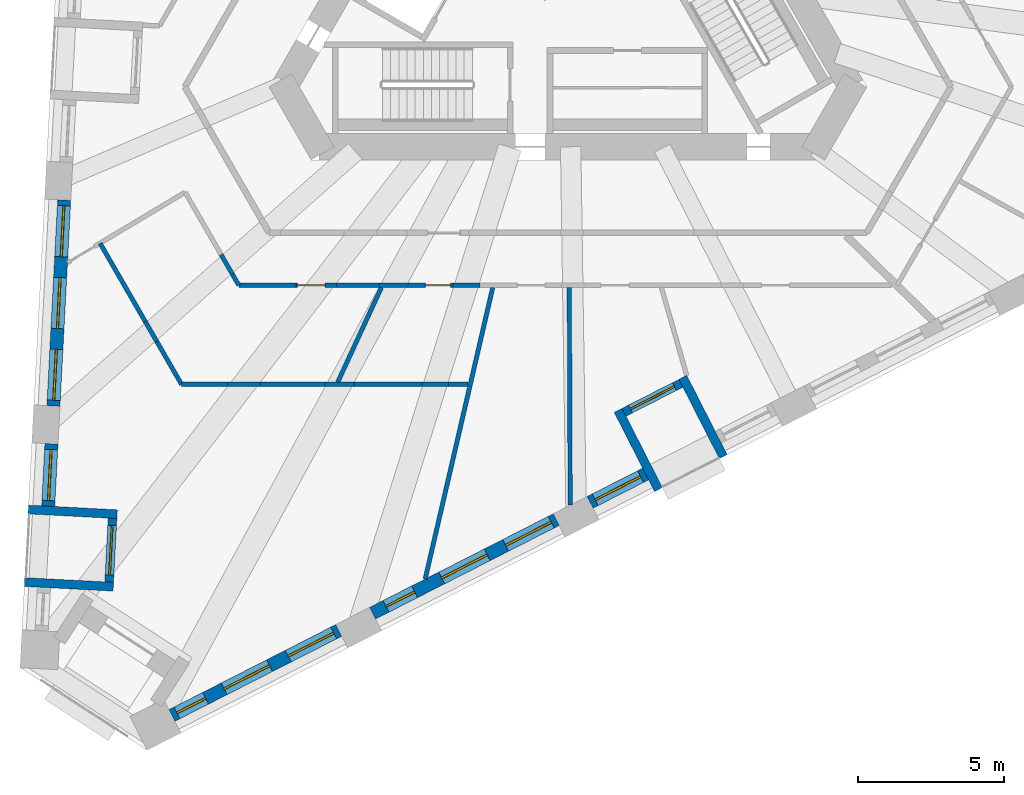
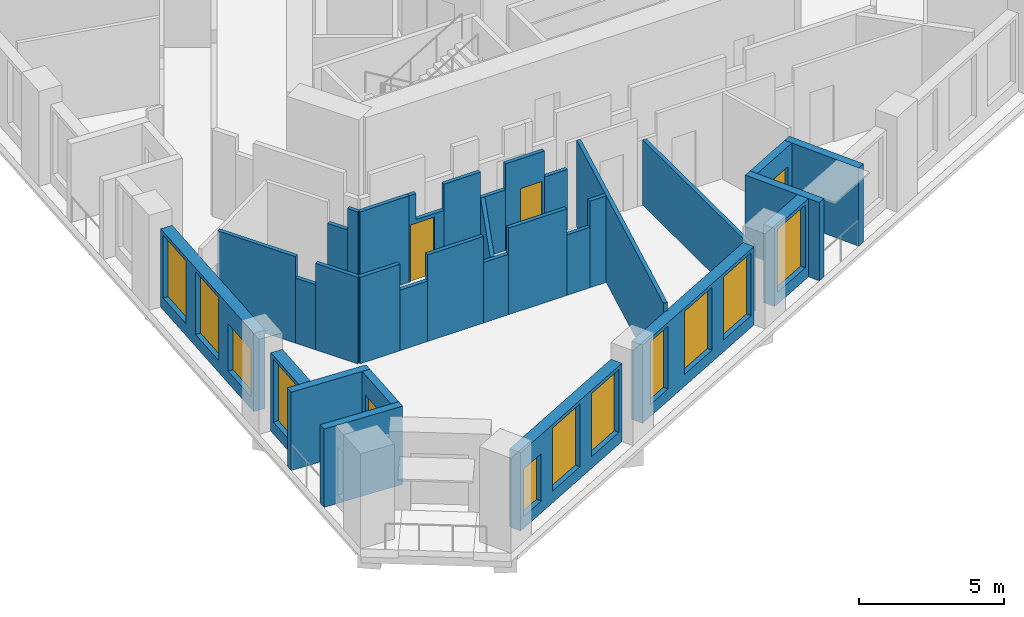
# One storey, part 2 of 13: 32 walls, 11 windows, 4 doors, 15 openings.
"""IFC4 building model written with IfcOpenShell, lengths in metres."""

from ifc_helpers import new_model, si_unit, direction, frame, frame_2d, origin, place, context, subcontext, project, spatial, polyline, rectangle, outline, extrude, material, layer, layer_set, type_object, element, fill, save


model = new_model("IFC4")

# Units and contexts
model_context = context("Model", 3, precision=1e-05, world=origin(), true_north=direction((0.0, 1.0)))
body_context = subcontext(model_context, "Body", "Model", "MODEL_VIEW")
ifc_project = project(units=[si_unit("LENGTHUNIT", "METRE"), si_unit("AREAUNIT", "SQUARE_METRE"), si_unit("VOLUMEUNIT", "CUBIC_METRE"), si_unit("PLANEANGLEUNIT", "RADIAN"), si_unit("MASSUNIT", "GRAM", prefix="KILO")], contexts=[model_context])

# Site, building, storey
site_placement = place(None, origin())
site = spatial("IfcSite", under=ifc_project, at=site_placement, CompositionType="ELEMENT")
building_placement = place(site_placement, origin())
building = spatial("IfcBuilding", under=site, at=building_placement, Name="Tramontana Tower", CompositionType="ELEMENT")
storey_placement = place(building_placement, frame((0.0, 0.0, 149.60009765625)))
storey = spatial("IfcBuildingStorey", under=building, at=storey_placement, Name="L34", CompositionType="ELEMENT", Elevation=149.60009765625)

# Wall, openings, windows
ifc_material_1 = material(Name="Precast concrete 60 MPa", Category="concrete")
ifc_layer_1 = layer(ifc_material_1, 0.449951171875)
ifc_layer_set_1 = layer_set([ifc_layer_1], Name="Precast concrete 60 MPa, 450 mm")
wall_type_1 = type_object("IfcWallType", Name="EW1 Stone-faced precast wall 450", PredefinedType="SOLIDWALL", material=ifc_layer_set_1)
wall_1_placement = place(storey_placement, frame((-17.274169921875, -8.128662109375, 0.0), z_axis=(0.0, 0.0, 1.0), x_axis=(-0.052339570873, -0.998629345313, 0.0)))
wall_1 = element("IfcWall", 1, at=wall_1_placement, inside=storey, type_object=wall_type_1, Name="External wall L34 face 0 bay 5", PredefinedType="SOLIDWALL", context=body_context, shape_type="SweptSolid", body=[
    extrude(rectangle(XDim=7.071533203125, YDim=0.449951171875, at=frame_2d((3.53564453125, 0.0))), origin(), (0.0, 0.0, 1.0), 3.2998046875),
])
opening_1_placement = place(wall_1_placement, frame((0.1953125, 0.0, 0.5)))
opening_1 = element("IfcOpeningElement", 2, at=opening_1_placement, cuts=wall_1, Name="Opening M2", PredefinedType="OPENING", context=body_context, shape_type="SweptSolid", body=[
    extrude(rectangle(XDim=1.75, YDim=2.64990234375, at=frame_2d((0.875, 1.324951171875))), frame((0.0, 0.23486328125, 0.0), z_axis=(0.0, -1.0, 0.0), x_axis=(1.0, 0.0, 0.0)), (0.0, 0.0, 1.0), 0.469970703125),
])
opening_2_placement = place(wall_1_placement, frame((2.660888671875, 0.0, 0.5)))
opening_2 = element("IfcOpeningElement", 3, at=opening_2_placement, cuts=wall_1, Name="Opening M2", PredefinedType="OPENING", context=body_context, shape_type="SweptSolid", body=[
    extrude(rectangle(XDim=1.75, YDim=2.64990234375, at=frame_2d((0.875, 1.324951171875))), frame((0.0, 0.23486328125, 0.0), z_axis=(0.0, -1.0, 0.0), x_axis=(1.0, 0.0, 0.0)), (0.0, 0.0, 1.0), 0.469970703125),
])
opening_3_placement = place(wall_1_placement, frame((5.126220703125, 0.0, 0.5)))
opening_3 = element("IfcOpeningElement", 4, at=opening_3_placement, cuts=wall_1, Name="Opening M2L", PredefinedType="OPENING", context=body_context, shape_type="SweptSolid", body=[
    extrude(rectangle(XDim=1.75, YDim=2.0, at=frame_2d((0.875, 1.0))), frame((0.0, 0.23486328125, 0.0), z_axis=(0.0, -1.0, 0.0), x_axis=(1.0, 0.0, 0.0)), (0.0, 0.0, 1.0), 0.469970703125),
])
ifc_material_2 = material(Name="Aluminum frame, double glazing unit", Category="aluminium")
window_type_1 = type_object("IfcWindowType", Name="M2 Window 1.75 x 2.65", PartitioningType="SINGLE_PANEL", PredefinedType="WINDOW", material=ifc_material_2)
window_1_placement = place(opening_1_placement, origin())
window_1 = element("IfcWindow", 5, at=window_1_placement, inside=storey, type_object=window_type_1, Name="Window M2 L34 face 0 module 13", OverallHeight=2.64990234375, OverallWidth=1.75, PartitioningType="SINGLE_PANEL", PredefinedType="WINDOW", context=body_context, shape_type="SweptSolid", body=[
    extrude(rectangle(XDim=1.75, YDim=2.64990234375, at=frame_2d((0.875, 1.324951171875))), frame((0.0, 0.030029296875, 0.0), z_axis=(0.0, -1.0, 0.0), x_axis=(1.0, 0.0, 0.0)), (0.0, 0.0, 1.0), 0.06005859375),
])
fill(opening_1, window_1)
window_2_placement = place(opening_2_placement, origin())
window_2 = element("IfcWindow", 6, at=window_2_placement, inside=storey, type_object=window_type_1, Name="Window M2 L34 face 0 module 14", OverallHeight=2.64990234375, OverallWidth=1.75, PartitioningType="SINGLE_PANEL", PredefinedType="WINDOW", context=body_context, shape_type="SweptSolid", body=[
    extrude(rectangle(XDim=1.75, YDim=2.64990234375, at=frame_2d((0.875, 1.324951171875))), frame((0.0, 0.030029296875, 0.0), z_axis=(0.0, -1.0, 0.0), x_axis=(1.0, 0.0, 0.0)), (0.0, 0.0, 1.0), 0.06005859375),
])
fill(opening_2, window_2)
ifc_material_3 = material(Name="Aluminum frame, double glazing unit", Category="aluminium")
window_type_2 = type_object("IfcWindowType", Name="M2L Window 1.75 x 2", PartitioningType="SINGLE_PANEL", PredefinedType="WINDOW", material=ifc_material_3)
window_3_placement = place(opening_3_placement, origin())
window_3 = element("IfcWindow", 7, at=window_3_placement, inside=storey, type_object=window_type_2, Name="Window M2L L34 face 0 module 15", OverallHeight=2.0, OverallWidth=1.75, PartitioningType="SINGLE_PANEL", PredefinedType="WINDOW", context=body_context, shape_type="SweptSolid", body=[
    extrude(rectangle(XDim=1.75, YDim=2.0, at=frame_2d((0.875, 1.0))), frame((0.0, 0.030029296875, 0.0), z_axis=(0.0, -1.0, 0.0), x_axis=(1.0, 0.0, 0.0)), (0.0, 0.0, 1.0), 0.06005859375),
])
fill(opening_3, window_3)

# Wall, opening, window
wall_2_placement = place(storey_placement, frame((-17.712158203125, -16.48876953125, 0.0), z_axis=(0.0, 0.0, 1.0), x_axis=(-0.05234931875, -0.998628834366, 0.0)))
wall_2 = element("IfcWall", 8, at=wall_2_placement, inside=storey, type_object=wall_type_1, Name="External wall L34 face 0 bay 6", PredefinedType="SOLIDWALL", context=body_context, shape_type="SweptSolid", body=[
    extrude(rectangle(XDim=2.140625, YDim=0.449951171875, at=frame_2d((1.0703125, 0.0))), origin(), (0.0, 0.0, 1.0), 3.2998046875),
])
opening_4_placement = place(wall_2_placement, frame((0.1953125, 0.0, 0.5)))
opening_4 = element("IfcOpeningElement", 9, at=opening_4_placement, cuts=wall_2, Name="Opening M2", PredefinedType="OPENING", context=body_context, shape_type="SweptSolid", body=[
    extrude(rectangle(XDim=1.75, YDim=2.64990234375, at=frame_2d((0.875, 1.324951171875))), frame((0.0, 0.23486328125, 0.0), z_axis=(0.0, -1.0, 0.0), x_axis=(1.0, 0.0, 0.0)), (0.0, 0.0, 1.0), 0.469970703125),
])
window_4_placement = place(opening_4_placement, origin())
window_4 = element("IfcWindow", 10, at=window_4_placement, inside=storey, type_object=window_type_1, Name="Window M2 L34 face 0 module 16", OverallHeight=2.64990234375, OverallWidth=1.75, PartitioningType="SINGLE_PANEL", PredefinedType="WINDOW", context=body_context, shape_type="SweptSolid", body=[
    extrude(rectangle(XDim=1.75, YDim=2.64990234375, at=frame_2d((0.875, 1.324951171875))), frame((0.0, 0.030029296875, 0.0), z_axis=(0.0, -1.0, 0.0), x_axis=(1.0, 0.0, 0.0)), (0.0, 0.0, 1.0), 0.06005859375),
])
fill(opening_4, window_4)

# Wall, openings, windows
wall_3_placement = place(storey_placement, frame((-13.580810546875, -25.802734375, 0.0), z_axis=(0.0, 0.0, 1.0), x_axis=(0.891010191031, 0.453983303085, 0.0)))
wall_3 = element("IfcWall", 11, at=wall_3_placement, inside=storey, type_object=wall_type_1, Name="External wall L34 face 1 bay 1", PredefinedType="SOLIDWALL", context=body_context, shape_type="SweptSolid", body=[
    extrude(rectangle(XDim=6.421630859375, YDim=0.449951171875, at=frame_2d((3.2109375, 0.0))), origin(), (0.0, 0.0, 1.0), 3.2998046875),
])
opening_5_placement = place(wall_3_placement, frame((0.1953125, 0.0, 0.5)))
opening_5 = element("IfcOpeningElement", 12, at=opening_5_placement, cuts=wall_3, Name="Opening N2L", PredefinedType="OPENING", context=body_context, shape_type="SweptSolid", body=[
    extrude(rectangle(XDim=1.10009765625, YDim=2.0, at=frame_2d((0.550048828125, 1.0))), frame((0.0, 0.23486328125, 0.0), z_axis=(0.0, -1.0, 0.0), x_axis=(1.0, 0.0, 0.0)), (0.0, 0.0, 1.0), 0.469970703125),
])
opening_6_placement = place(wall_3_placement, frame((2.0107421875, 0.0, 0.5)))
opening_6 = element("IfcOpeningElement", 13, at=opening_6_placement, cuts=wall_3, Name="Opening M2", PredefinedType="OPENING", context=body_context, shape_type="SweptSolid", body=[
    extrude(rectangle(XDim=1.75, YDim=2.64990234375, at=frame_2d((0.875, 1.324951171875))), frame((0.0, 0.23486328125, 0.0), z_axis=(0.0, -1.0, 0.0), x_axis=(1.0, 0.0, 0.0)), (0.0, 0.0, 1.0), 0.469970703125),
])
opening_7_placement = place(wall_3_placement, frame((4.476318359375, 0.0, 0.5)))
opening_7 = element("IfcOpeningElement", 14, at=opening_7_placement, cuts=wall_3, Name="Opening M2", PredefinedType="OPENING", context=body_context, shape_type="SweptSolid", body=[
    extrude(rectangle(XDim=1.75, YDim=2.64990234375, at=frame_2d((0.875, 1.324951171875))), frame((0.0, 0.23486328125, 0.0), z_axis=(0.0, -1.0, 0.0), x_axis=(1.0, 0.0, 0.0)), (0.0, 0.0, 1.0), 0.469970703125),
])
window_5_placement = place(opening_6_placement, origin())
window_5 = element("IfcWindow", 15, at=window_5_placement, inside=storey, type_object=window_type_1, Name="Window M2 L34 face 1 module 2", OverallHeight=2.64990234375, OverallWidth=1.75, PartitioningType="SINGLE_PANEL", PredefinedType="WINDOW", context=body_context, shape_type="SweptSolid", body=[
    extrude(rectangle(XDim=1.75, YDim=2.64990234375, at=frame_2d((0.875, 1.324951171875))), frame((0.0, 0.030029296875, 0.0), z_axis=(0.0, -1.0, 0.0), x_axis=(1.0, 0.0, 0.0)), (0.0, 0.0, 1.0), 0.06005859375),
])
fill(opening_6, window_5)
window_6_placement = place(opening_7_placement, origin())
window_6 = element("IfcWindow", 16, at=window_6_placement, inside=storey, type_object=window_type_1, Name="Window M2 L34 face 1 module 3", OverallHeight=2.64990234375, OverallWidth=1.75, PartitioningType="SINGLE_PANEL", PredefinedType="WINDOW", context=body_context, shape_type="SweptSolid", body=[
    extrude(rectangle(XDim=1.75, YDim=2.64990234375, at=frame_2d((0.875, 1.324951171875))), frame((0.0, 0.030029296875, 0.0), z_axis=(0.0, -1.0, 0.0), x_axis=(1.0, 0.0, 0.0)), (0.0, 0.0, 1.0), 0.06005859375),
])
fill(opening_7, window_6)
ifc_material_4 = material(Name="Aluminum frame, double glazing unit", Category="aluminium")
window_type_3 = type_object("IfcWindowType", Name="N2L Window 1.1 x 2", PartitioningType="SINGLE_PANEL", PredefinedType="WINDOW", material=ifc_material_4)
window_7_placement = place(opening_5_placement, origin())
window_7 = element("IfcWindow", 17, at=window_7_placement, inside=storey, type_object=window_type_3, Name="Window N2L L34 face 1 module 1", OverallHeight=2.0, OverallWidth=1.10009765625, PartitioningType="SINGLE_PANEL", PredefinedType="WINDOW", context=body_context, shape_type="SweptSolid", body=[
    extrude(rectangle(XDim=1.10009765625, YDim=2.0, at=frame_2d((0.550048828125, 1.0))), frame((0.0, 0.030029296875, 0.0), z_axis=(0.0, -1.0, 0.0), x_axis=(1.0, 0.0, 0.0)), (0.0, 0.0, 1.0), 0.06005859375),
])
fill(opening_5, window_7)

wall_4_placement = place(storey_placement, frame((-6.70068359375, -22.29736328125, 0.0), z_axis=(0.0, 0.0, 1.0), x_axis=(0.891004189171, 0.45399508244, 0.0)))
wall_4 = element("IfcWall", 18, at=wall_4_placement, inside=storey, type_object=wall_type_1, Name="External wall L34 face 1 bay 2", PredefinedType="SOLIDWALL", context=body_context, shape_type="SweptSolid", body=[
    extrude(rectangle(XDim=7.071533203125, YDim=0.449951171875, at=frame_2d((3.53564453125, 0.0))), origin(), (0.0, 0.0, 1.0), 3.2998046875),
])
opening_8_placement = place(wall_4_placement, frame((0.520263671875, 0.0, 0.5)))
opening_8 = element("IfcOpeningElement", 19, at=opening_8_placement, cuts=wall_4, Name="Opening N2", PredefinedType="OPENING", context=body_context, shape_type="SweptSolid", body=[
    extrude(rectangle(XDim=1.10009765625, YDim=2.64990234375, at=frame_2d((0.550048828125, 1.324951171875))), frame((0.0, 0.23486328125, 0.0), z_axis=(0.0, -1.0, 0.0), x_axis=(1.0, 0.0, 0.0)), (0.0, 0.0, 1.0), 0.469970703125),
])
opening_9_placement = place(wall_4_placement, frame((2.660888671875, 0.0, 0.5)))
opening_9 = element("IfcOpeningElement", 20, at=opening_9_placement, cuts=wall_4, Name="Opening M2", PredefinedType="OPENING", context=body_context, shape_type="SweptSolid", body=[
    extrude(rectangle(XDim=1.75, YDim=2.64990234375, at=frame_2d((0.875, 1.324951171875))), frame((0.0, 0.23486328125, 0.0), z_axis=(0.0, -1.0, 0.0), x_axis=(1.0, 0.0, 0.0)), (0.0, 0.0, 1.0), 0.469970703125),
])
opening_10_placement = place(wall_4_placement, frame((5.126220703125, 0.0, 0.5)))
opening_10 = element("IfcOpeningElement", 21, at=opening_10_placement, cuts=wall_4, Name="Opening M2", PredefinedType="OPENING", context=body_context, shape_type="SweptSolid", body=[
    extrude(rectangle(XDim=1.75, YDim=2.64990234375, at=frame_2d((0.875, 1.324951171875))), frame((0.0, 0.23486328125, 0.0), z_axis=(0.0, -1.0, 0.0), x_axis=(1.0, 0.0, 0.0)), (0.0, 0.0, 1.0), 0.469970703125),
])
window_8_placement = place(opening_9_placement, origin())
window_8 = element("IfcWindow", 22, at=window_8_placement, inside=storey, type_object=window_type_1, Name="Window M2 L34 face 1 module 5", OverallHeight=2.64990234375, OverallWidth=1.75, PartitioningType="SINGLE_PANEL", PredefinedType="WINDOW", context=body_context, shape_type="SweptSolid", body=[
    extrude(rectangle(XDim=1.75, YDim=2.64990234375, at=frame_2d((0.875, 1.324951171875))), frame((0.0, 0.030029296875, 0.0), z_axis=(0.0, -1.0, 0.0), x_axis=(1.0, 0.0, 0.0)), (0.0, 0.0, 1.0), 0.06005859375),
])
fill(opening_9, window_8)
window_9_placement = place(opening_10_placement, origin())
window_9 = element("IfcWindow", 23, at=window_9_placement, inside=storey, type_object=window_type_1, Name="Window M2 L34 face 1 module 6", OverallHeight=2.64990234375, OverallWidth=1.75, PartitioningType="SINGLE_PANEL", PredefinedType="WINDOW", context=body_context, shape_type="SweptSolid", body=[
    extrude(rectangle(XDim=1.75, YDim=2.64990234375, at=frame_2d((0.875, 1.324951171875))), frame((0.0, 0.030029296875, 0.0), z_axis=(0.0, -1.0, 0.0), x_axis=(1.0, 0.0, 0.0)), (0.0, 0.0, 1.0), 0.06005859375),
])
fill(opening_10, window_9)
ifc_material_5 = material(Name="Aluminum frame, double glazing unit", Category="aluminium")
window_type_4 = type_object("IfcWindowType", Name="N2 Window 1.1 x 2.65", PartitioningType="SINGLE_PANEL", PredefinedType="WINDOW", material=ifc_material_5)
window_10_placement = place(opening_8_placement, origin())
window_10 = element("IfcWindow", 24, at=window_10_placement, inside=storey, type_object=window_type_4, Name="Window N2 L34 face 1 module 4", OverallHeight=2.64990234375, OverallWidth=1.10009765625, PartitioningType="SINGLE_PANEL", PredefinedType="WINDOW", context=body_context, shape_type="SweptSolid", body=[
    extrude(rectangle(XDim=1.10009765625, YDim=2.64990234375, at=frame_2d((0.550048828125, 1.324951171875))), frame((0.0, 0.030029296875, 0.0), z_axis=(0.0, -1.0, 0.0), x_axis=(1.0, 0.0, 0.0)), (0.0, 0.0, 1.0), 0.06005859375),
])
fill(opening_8, window_10)

# Wall, opening, window
wall_5_placement = place(storey_placement, frame((0.75830078125, -18.496826171875, 0.0), z_axis=(0.0, 0.0, 1.0), x_axis=(0.890979432498, 0.454043666254, 0.0)))
wall_5 = element("IfcWall", 25, at=wall_5_placement, inside=storey, type_object=wall_type_1, Name="External wall L34 face 1 bay 3", PredefinedType="SOLIDWALL", context=body_context, shape_type="SweptSolid", body=[
    extrude(rectangle(XDim=2.140625, YDim=0.449951171875, at=frame_2d((1.0703125, 0.0))), origin(), (0.0, 0.0, 1.0), 3.2998046875),
])
opening_11_placement = place(wall_5_placement, frame((0.1953125, 0.0, 0.5)))
opening_11 = element("IfcOpeningElement", 26, at=opening_11_placement, cuts=wall_5, Name="Opening M2", PredefinedType="OPENING", context=body_context, shape_type="SweptSolid", body=[
    extrude(rectangle(XDim=1.75, YDim=2.64990234375, at=frame_2d((0.875, 1.324951171875))), frame((0.0, 0.23486328125, 0.0), z_axis=(0.0, -1.0, 0.0), x_axis=(1.0, 0.0, 0.0)), (0.0, 0.0, 1.0), 0.469970703125),
])
window_11_placement = place(opening_11_placement, origin())
window_11 = element("IfcWindow", 27, at=window_11_placement, inside=storey, type_object=window_type_1, Name="Window M2 L34 face 1 module 7", OverallHeight=2.64990234375, OverallWidth=1.75, PartitioningType="SINGLE_PANEL", PredefinedType="WINDOW", context=body_context, shape_type="SweptSolid", body=[
    extrude(rectangle(XDim=1.75, YDim=2.64990234375, at=frame_2d((0.875, 1.324951171875))), frame((0.0, 0.030029296875, 0.0), z_axis=(0.0, -1.0, 0.0), x_axis=(1.0, 0.0, 0.0)), (0.0, 0.0, 1.0), 0.06005859375),
])
fill(opening_11, window_11)

# Wall, opening, door
ifc_material_6 = material(Name="Precast concrete 60 MPa", Category="concrete")
ifc_layer_2 = layer(ifc_material_6, 0.300048828125)
ifc_layer_set_2 = layer_set([ifc_layer_2], Name="LW1 Stone-faced loggia wall 300")
wall_type_2 = type_object("IfcWallType", Name="LW1 Stone-faced loggia wall 300", PredefinedType="SOLIDWALL", material=ifc_layer_set_2)
wall_6_placement = place(storey_placement, frame((-15.617919921875, -19.04248046875, 0.0), z_axis=(0.0, 0.0, 1.0), x_axis=(-0.052383338583, -0.998627050424, 0.0)))
wall_6 = element("IfcWall", 28, at=wall_6_placement, inside=storey, type_object=wall_type_2, Name="Loggia wall L34 G3S0.16", PredefinedType="SOLIDWALL", context=body_context, shape_type="SweptSolid", body=[
    extrude(rectangle(XDim=2.1904296875, YDim=0.300048828125, at=frame_2d((1.09521484375, 0.0))), origin(), (0.0, 0.0, 1.0), 3.2998046875),
])
opening_12_placement = place(wall_6_placement, frame((0.245361328125, 0.0, 0.0)))
opening_12 = element("IfcOpeningElement", 29, at=opening_12_placement, cuts=wall_6, Name="Opening BD-3S0-16", PredefinedType="OPENING", context=body_context, shape_type="SweptSolid", body=[
    extrude(rectangle(XDim=1.699951171875, YDim=2.449951171875, at=frame_2d((0.85009765625, 1.22509765625))), frame((0.0, 0.159912109375, 0.0), z_axis=(0.0, -1.0, 0.0), x_axis=(1.0, 0.0, 0.0)), (0.0, 0.0, 1.0), 0.320068359375),
])
ifc_material_7 = material(Name="Aluminum frame, double glazing unit", Category="aluminium")
door_type_1 = type_object("IfcDoorType", Name="BD2 Sliding door 1.7 x 2.45", OperationType="SLIDING_TO_LEFT", PredefinedType="DOOR", material=ifc_material_7)
door_1_placement = place(opening_12_placement, origin())
door_1 = element("IfcDoor", 30, at=door_1_placement, inside=storey, type_object=door_type_1, Name="Loggia door L34 G3S0.16", OperationType="SLIDING_TO_LEFT", OverallHeight=2.449951171875, OverallWidth=1.699951171875, PredefinedType="DOOR", context=body_context, shape_type="SweptSolid", body=[
    extrude(rectangle(XDim=1.699951171875, YDim=2.449951171875, at=frame_2d((0.85009765625, 1.22509765625))), frame((0.0, 0.02490234375, 0.0), z_axis=(0.0, -1.0, 0.0), x_axis=(1.0, 0.0, 0.0)), (0.0, 0.0, 1.0), 0.050048828125),
])
fill(opening_12, door_1)

# Walls
for number, where, z_axis, x_axis, name in (
    (31, (-18.506103515625, -18.74072265625, 0.0), (0.0, 0.0, 1.0), (0.998628643661, -0.052352956549, 0.0), "Loggia return L34 G3S0.16a"),
    (32, (-18.636474609375, -21.22802734375, 0.0), (0.0, 0.0, 1.0), (0.998632825615, -0.05227312506, 0.0), "Loggia return L34 G3S0.16b"),
):
    element("IfcWall", number, at=place(storey_placement, frame(where, z_axis=z_axis, x_axis=x_axis)), inside=storey, type_object=wall_type_2, Name=name, PredefinedType="SOLIDWALL", context=body_context, shape_type="SweptSolid", body=[
        extrude(rectangle(XDim=3.0498046875, YDim=0.300048828125, at=frame_2d((1.52490234375, 0.0))), origin(), (0.0, 0.0, 1.0), 3.2998046875),
    ])

# Wall, opening, door
wall_7_placement = place(storey_placement, frame((1.9228515625, -15.40625, 0.0), z_axis=(0.0, 0.0, 1.0), x_axis=(0.891013126725, 0.4539775413, 0.0)))
wall_7 = element("IfcWall", 33, at=wall_7_placement, inside=storey, type_object=wall_type_2, Name="Loggia wall L34 G3S1.7", PredefinedType="SOLIDWALL", context=body_context, shape_type="SweptSolid", body=[
    extrude(rectangle(XDim=2.1904296875, YDim=0.300048828125, at=frame_2d((1.09521484375, 0.0))), origin(), (0.0, 0.0, 1.0), 3.2998046875),
])
opening_13_placement = place(wall_7_placement, frame((0.245361328125, 0.0, 0.0)))
opening_13 = element("IfcOpeningElement", 34, at=opening_13_placement, cuts=wall_7, Name="Opening BD-3S1-07", PredefinedType="OPENING", context=body_context, shape_type="SweptSolid", body=[
    extrude(rectangle(XDim=1.699951171875, YDim=2.449951171875, at=frame_2d((0.85009765625, 1.22509765625))), frame((0.0, 0.159912109375, 0.0), z_axis=(0.0, -1.0, 0.0), x_axis=(1.0, 0.0, 0.0)), (0.0, 0.0, 1.0), 0.320068359375),
])
door_2_placement = place(opening_13_placement, origin())
door_2 = element("IfcDoor", 35, at=door_2_placement, inside=storey, type_object=door_type_1, Name="Loggia door L34 G3S1.7", OperationType="SLIDING_TO_LEFT", OverallHeight=2.449951171875, OverallWidth=1.699951171875, PredefinedType="DOOR", context=body_context, shape_type="SweptSolid", body=[
    extrude(rectangle(XDim=1.699951171875, YDim=2.449951171875, at=frame_2d((0.85009765625, 1.22509765625))), frame((0.0, 0.02490234375, 0.0), z_axis=(0.0, -1.0, 0.0), x_axis=(1.0, 0.0, 0.0)), (0.0, 0.0, 1.0), 0.050048828125),
])
fill(opening_13, door_2)

# Walls
wall_8_placement = place(storey_placement, frame((3.105712890625, -18.058349609375, 0.0), z_axis=(0.0, 0.0, 1.0), x_axis=(-0.453988129332, 0.891007731968, 0.0)))
element("IfcWall", 36, at=wall_8_placement, inside=storey, type_object=wall_type_2, Name="Loggia return L34 G3S1.7a", PredefinedType="SOLIDWALL", context=body_context, shape_type="SweptSolid", body=[
    extrude(rectangle(XDim=3.05029296875, YDim=0.300048828125, at=frame_2d((1.525146484375, 0.0))), origin(), (0.0, 0.0, 1.0), 3.2998046875),
])
wall_9_placement = place(storey_placement, frame((5.32470703125, -16.927490234375, 0.0), z_axis=(0.0, 0.0, 1.0), x_axis=(-0.453956959009, 0.891023613249, 0.0)))
element("IfcWall", 37, at=wall_9_placement, inside=storey, type_object=wall_type_2, Name="Loggia return L34 G3S1.7b", PredefinedType="SOLIDWALL", context=body_context, shape_type="SweptSolid", body=[
    extrude(rectangle(XDim=3.0498046875, YDim=0.300048828125, at=frame_2d((1.52490234375, 0.0))), origin(), (0.0, 0.0, 1.0), 3.2998046875),
])
ifc_material_8 = material(Name="Gypsum board partition")
ifc_layer_3 = layer(ifc_material_8, 0.14990234375)
ifc_layer_set_3 = layer_set([ifc_layer_3], Name="PARTITION 150")
wall_type_3 = type_object("IfcWallType", Name="PARTITION 150", PredefinedType="PARTITIONING", material=ifc_layer_set_3)
wall_10_placement = place(storey_placement, frame((-13.250244140625, -14.449951171875, 0.0), z_axis=(0.0, 0.0, 1.0), x_axis=(-0.500025713471, 0.866010557596, 0.0)))
element("IfcWall", 38, at=wall_10_placement, inside=storey, type_object=wall_type_3, Name="Wall v32-pw03-0", PredefinedType="PARTITIONING", context=body_context, shape_type="SweptSolid", body=[
    extrude(rectangle(XDim=1.69580078125, YDim=0.14990234375, at=frame_2d((0.847900390625, 0.0))), origin(), (0.0, 0.0, 1.0), 3.64990234375),
])
wall_11_placement = place(storey_placement, frame((-14.09814453125, -12.9814453125, 0.0), z_axis=(0.0, 0.0, 1.0), x_axis=(-0.499989616998, 0.866031398331, 0.0)))
element("IfcWall", 39, at=wall_11_placement, inside=storey, type_object=wall_type_3, Name="Wall v32-pw03-1", PredefinedType="PARTITIONING", context=body_context, shape_type="SweptSolid", body=[
    extrude(rectangle(XDim=0.791015625, YDim=0.14990234375, at=frame_2d((0.3955078125, 0.0))), origin(), (0.0, 0.0, 1.0), 2.75),
])
wall_12_placement = place(storey_placement, frame((-14.49365234375, -12.29638671875, 0.0), z_axis=(0.0, 0.0, 1.0), x_axis=(-0.499981288196, 0.86603620678, 0.0)))
element("IfcWall", 40, at=wall_12_placement, inside=storey, type_object=wall_type_3, Name="Wall v32-pw03-2", PredefinedType="PARTITIONING", context=body_context, shape_type="SweptSolid", body=[
    extrude(rectangle(XDim=3.1025390625, YDim=0.14990234375, at=frame_2d((1.55126953125, 0.0))), origin(), (0.0, 0.0, 1.0), 3.64990234375),
])
wall_13_placement = place(storey_placement, frame((-11.287353515625, -11.0498046875, 0.0), z_axis=(0.0, 0.0, 1.0), x_axis=(-0.499739105689, 0.866175978797, 0.0)))
element("IfcWall", 41, at=wall_13_placement, inside=storey, type_object=wall_type_3, Name="Wall v32-pw05-0", PredefinedType="PARTITIONING", context=body_context, shape_type="SweptSolid", body=[
    extrude(rectangle(XDim=0.423095703125, YDim=0.14990234375, at=frame_2d((0.21142578125, 0.0))), origin(), (0.0, 0.0, 1.0), 3.64990234375),
])
wall_14_placement = place(storey_placement, frame((-11.498779296875, -10.683349609375, 0.0), z_axis=(0.0, 0.0, 1.0), x_axis=(-0.50012328804, 0.865954211699, 0.0)))
element("IfcWall", 42, at=wall_14_placement, inside=storey, type_object=wall_type_3, Name="Wall v32-pw05-1", PredefinedType="PARTITIONING", context=body_context, shape_type="SweptSolid", body=[
    extrude(rectangle(XDim=0.790771484375, YDim=0.14990234375, at=frame_2d((0.3955078125, 0.0))), origin(), (0.0, 0.0, 1.0), 2.75),
])
wall_15_placement = place(storey_placement, frame((-6.396484375, -11.125, 0.0), z_axis=(0.0, 0.0, 1.0), x_axis=(-0.4187207201, -0.908115057996, 0.0)))
element("IfcWall", 43, at=wall_15_placement, inside=storey, type_object=wall_type_3, Name="Wall v32-pw12-0", PredefinedType="PARTITIONING", context=body_context, shape_type="SweptSolid", body=[
    extrude(rectangle(XDim=3.578857421875, YDim=0.14990234375, at=frame_2d((1.78955078125, 0.0))), origin(), (0.0, 0.0, 1.0), 2.5498046875),
])
wall_16_placement = place(storey_placement, frame((-3.42578125, -14.449951171875, 0.0), z_axis=(0.0, 0.0, 1.0), x_axis=(-1.0, 0.0, 0.0)))
element("IfcWall", 44, at=wall_16_placement, inside=storey, type_object=wall_type_3, Name="Wall v32-pw15-0", PredefinedType="PARTITIONING", context=body_context, shape_type="SweptSolid", body=[
    extrude(rectangle(XDim=0.666015625, YDim=0.14990234375, at=frame_2d((0.3330078125, 0.0))), origin(), (0.0, 0.0, 1.0), 3.64990234375),
])
wall_17_placement = place(storey_placement, frame((-4.091796875, -14.449951171875, 0.0), z_axis=(0.0, 0.0, 1.0), x_axis=(-1.0, 0.0, 0.0)))
element("IfcWall", 45, at=wall_17_placement, inside=storey, type_object=wall_type_3, Name="Wall v32-pw15-1", PredefinedType="PARTITIONING", context=body_context, shape_type="SweptSolid", body=[
    extrude(rectangle(XDim=0.917236328125, YDim=0.14990234375, at=frame_2d((0.45849609375, 0.0))), origin(), (0.0, 0.0, 1.0), 2.5498046875),
])
wall_18_placement = place(storey_placement, frame((-5.009033203125, -14.449951171875, 0.0), z_axis=(0.0, 0.0, 1.0), x_axis=(-1.0, 0.0, 0.0)))
element("IfcWall", 46, at=wall_18_placement, inside=storey, type_object=wall_type_3, Name="Wall v32-pw15-2", PredefinedType="PARTITIONING", context=body_context, shape_type="SweptSolid", body=[
    extrude(rectangle(XDim=2.320556640625, YDim=0.14990234375, at=frame_2d((1.16015625, 0.0))), origin(), (0.0, 0.0, 1.0), 3.64990234375),
])
wall_19_placement = place(storey_placement, frame((-7.32958984375, -14.449951171875, 0.0), z_axis=(0.0, 0.0, 1.0), x_axis=(-1.0, 0.0, 0.0)))
element("IfcWall", 47, at=wall_19_placement, inside=storey, type_object=wall_type_3, Name="Wall v32-pw15-3", PredefinedType="PARTITIONING", context=body_context, shape_type="SweptSolid", body=[
    extrude(rectangle(XDim=0.9951171875, YDim=0.14990234375, at=frame_2d((0.49755859375, 0.0))), origin(), (0.0, 0.0, 1.0), 2.5498046875),
])
wall_20_placement = place(storey_placement, frame((-8.32470703125, -14.449951171875, 0.0), z_axis=(0.0, 0.0, 1.0), x_axis=(-1.0, 0.0, 0.0)))
element("IfcWall", 48, at=wall_20_placement, inside=storey, type_object=wall_type_3, Name="Wall v32-pw15-4", PredefinedType="PARTITIONING", context=body_context, shape_type="SweptSolid", body=[
    extrude(rectangle(XDim=2.234130859375, YDim=0.14990234375, at=frame_2d((1.1171875, 0.0))), origin(), (0.0, 0.0, 1.0), 3.64990234375),
])
wall_21_placement = place(storey_placement, frame((-10.558837890625, -14.449951171875, 0.0), z_axis=(0.0, 0.0, 1.0), x_axis=(-1.0, 0.0, 0.0)))
element("IfcWall", 49, at=wall_21_placement, inside=storey, type_object=wall_type_3, Name="Wall v32-pw15-5", PredefinedType="PARTITIONING", context=body_context, shape_type="SweptSolid", body=[
    extrude(rectangle(XDim=1.103759765625, YDim=0.14990234375, at=frame_2d((0.5517578125, 0.0))), origin(), (0.0, 0.0, 1.0), 2.5498046875),
])
wall_22_placement = place(storey_placement, frame((-11.66259765625, -14.449951171875, 0.0), z_axis=(0.0, 0.0, 1.0), x_axis=(-1.0, 0.0, 0.0)))
element("IfcWall", 50, at=wall_22_placement, inside=storey, type_object=wall_type_3, Name="Wall v32-pw15-6", PredefinedType="PARTITIONING", context=body_context, shape_type="SweptSolid", body=[
    extrude(rectangle(XDim=1.587646484375, YDim=0.14990234375, at=frame_2d((0.7939453125, 0.0))), origin(), (0.0, 0.0, 1.0), 3.64990234375),
])
wall_23_placement = place(storey_placement, frame((-2.578125, -11.125, 0.0), z_axis=(0.0, 0.0, 1.0), x_axis=(-0.225778284411, -0.974178713732, 0.0)))
element("IfcWall", 51, at=wall_23_placement, inside=storey, type_object=wall_type_3, Name="Wall v32-pw16", PredefinedType="PARTITIONING", context=body_context, shape_type="SweptSolid", body=[
    extrude(rectangle(XDim=10.26513671875, YDim=0.14990234375, at=frame_2d((5.132568359375, 0.0))), origin(), (0.0, 0.0, 1.0), 3.64990234375),
])
wall_24_placement = place(storey_placement, frame((0.046142578125, -11.125, 0.0), z_axis=(0.0, 0.0, 1.0), x_axis=(0.004152733795, -0.999991377364, 0.0)))
element("IfcWall", 52, at=wall_24_placement, inside=storey, type_object=wall_type_3, Name="Wall v32-pw18-0", PredefinedType="PARTITIONING", context=body_context, shape_type="SweptSolid", body=[
    extrude(rectangle(XDim=7.46630859375, YDim=0.14990234375, at=frame_2d((3.733154296875, 0.0))), origin(), (0.0, 0.0, 1.0), 2.75),
])
wall_25_placement = place(storey_placement, frame((-3.02099609375, -11.050048828125, 0.0), z_axis=(0.0, 0.0, 1.0), x_axis=(-1.0, 0.0, 0.0)))
element("IfcWall", 53, at=wall_25_placement, inside=storey, type_object=wall_type_3, Name="Wall v32-pw25-5", PredefinedType="PARTITIONING", context=body_context, shape_type="SweptSolid", body=[
    extrude(rectangle(XDim=0.91748046875, YDim=0.14990234375, at=frame_2d((0.458740234375, 0.0))), origin(), (0.0, 0.0, 1.0), 2.5498046875),
])

# Wall, opening, door
wall_26_placement = place(storey_placement, frame((-3.9384765625, -11.050048828125, 0.0), z_axis=(0.0, 0.0, 1.0), x_axis=(-1.0, 0.0, 0.0)))
wall_26 = element("IfcWall", 54, at=wall_26_placement, inside=storey, type_object=wall_type_3, Name="Wall v32-pw25-6", PredefinedType="PARTITIONING", context=body_context, shape_type="SweptSolid", body=[
    extrude(rectangle(XDim=1.54931640625, YDim=0.14990234375, at=frame_2d((0.774658203125, 0.0))), origin(), (0.0, 0.0, 1.0), 3.64990234375),
])
opening_14_placement = place(wall_26_placement, frame((0.096923828125, 0.0, 0.0)))
opening_14 = element("IfcOpeningElement", 55, at=opening_14_placement, cuts=wall_26, Name="Opening B3C-08", PredefinedType="OPENING", context=body_context, shape_type="SweptSolid", body=[
    extrude(rectangle(XDim=0.85009765625, YDim=2.39990234375, at=frame_2d((0.425048828125, 1.199951171875))), frame((0.0, 0.0849609375, 0.0), z_axis=(0.0, -1.0, 0.0), x_axis=(1.0, 0.0, 0.0)), (0.0, 0.0, 1.0), 0.169921875),
])
ifc_material_9 = material(Name="Painted timber", Category="wood")
door_type_2 = type_object("IfcDoorType", Name="DOOR BATH 850", OperationType="SINGLE_SWING_LEFT", PredefinedType="DOOR", material=ifc_material_9)
door_3_placement = place(opening_14_placement, origin())
door_3 = element("IfcDoor", 56, at=door_3_placement, inside=storey, type_object=door_type_2, Name="Door B3C-08", OperationType="SINGLE_SWING_RIGHT", OverallHeight=2.39990234375, OverallWidth=0.85009765625, PredefinedType="DOOR", context=body_context, shape_type="SweptSolid", body=[
    extrude(rectangle(XDim=0.85009765625, YDim=2.39990234375, at=frame_2d((0.425048828125, 1.199951171875))), frame((0.0, 0.02490234375, 0.0), z_axis=(0.0, -1.0, 0.0), x_axis=(1.0, 0.0, 0.0)), (0.0, 0.0, 1.0), 0.050048828125),
])
fill(opening_14, door_3)

# Walls
wall_27_placement = place(storey_placement, frame((-5.48779296875, -11.050048828125, 0.0), z_axis=(0.0, 0.0, 1.0), x_axis=(-1.0, 0.0, 0.0)))
element("IfcWall", 57, at=wall_27_placement, inside=storey, type_object=wall_type_3, Name="Wall v32-pw25-7", PredefinedType="PARTITIONING", context=body_context, shape_type="SweptSolid", body=[
    extrude(rectangle(XDim=0.9951171875, YDim=0.14990234375, at=frame_2d((0.49755859375, 0.0))), origin(), (0.0, 0.0, 1.0), 2.5498046875),
])
wall_28_placement = place(storey_placement, frame((-6.48291015625, -11.050048828125, 0.0), z_axis=(0.0, 0.0, 1.0), x_axis=(-1.0, 0.0, 0.0)))
element("IfcWall", 58, at=wall_28_placement, inside=storey, type_object=wall_type_3, Name="Wall v32-pw25-8", PredefinedType="PARTITIONING", context=body_context, shape_type="SweptSolid", body=[
    extrude(rectangle(XDim=1.461669921875, YDim=0.14990234375, at=frame_2d((0.73095703125, 0.0))), origin(), (0.0, 0.0, 1.0), 3.64990234375),
])

# Wall, opening, door
wall_29_placement = place(storey_placement, frame((-7.944580078125, -11.050048828125, 0.0), z_axis=(0.0, 0.0, 1.0), x_axis=(-1.0, 0.0, 0.0)))
wall_29 = element("IfcWall", 59, at=wall_29_placement, inside=storey, type_object=wall_type_3, Name="Wall v32-pw25-9", PredefinedType="PARTITIONING", context=body_context, shape_type="SweptSolid", body=[
    extrude(outline(polyline([(0.0, 0.0), (1.38330078125, 0.0), (1.38330078125, 3.64990234375), (1.103759765625, 3.64990234375), (1.103759765625, 2.5498046875), (0.0, 2.5498046875), (0.0, 0.0)])), frame((0.0, 0.074951171875, 0.0), z_axis=(0.0, -1.0, 0.0), x_axis=(1.0, 0.0, 0.0)), (0.0, 0.0, 1.0), 0.14990234375),
])
opening_15_placement = place(wall_29_placement, frame((0.38330078125, 0.0, 0.0)))
opening_15 = element("IfcOpeningElement", 60, at=opening_15_placement, cuts=wall_29, Name="Opening B3C-07", PredefinedType="OPENING", context=body_context, shape_type="SweptSolid", body=[
    extrude(rectangle(XDim=0.949951171875, YDim=2.39990234375, at=frame_2d((0.47509765625, 1.199951171875))), frame((0.0, 0.0849609375, 0.0), z_axis=(0.0, -1.0, 0.0), x_axis=(1.0, 0.0, 0.0)), (0.0, 0.0, 1.0), 0.169921875),
])
ifc_material_10 = material(Name="Painted timber", Category="wood")
door_type_3 = type_object("IfcDoorType", Name="DOOR ROOM 950", OperationType="SINGLE_SWING_LEFT", PredefinedType="DOOR", material=ifc_material_10)
door_4_placement = place(opening_15_placement, origin())
door_4 = element("IfcDoor", 61, at=door_4_placement, inside=storey, type_object=door_type_3, Name="Door B3C-07", OperationType="SINGLE_SWING_LEFT", OverallHeight=2.39990234375, OverallWidth=0.949951171875, PredefinedType="DOOR", context=body_context, shape_type="SweptSolid", body=[
    extrude(rectangle(XDim=0.949951171875, YDim=2.39990234375, at=frame_2d((0.47509765625, 1.199951171875))), frame((0.0, 0.02490234375, 0.0), z_axis=(0.0, -1.0, 0.0), x_axis=(1.0, 0.0, 0.0)), (0.0, 0.0, 1.0), 0.050048828125),
])
fill(opening_15, door_4)

# Wall
wall_30_placement = place(storey_placement, frame((-9.327880859375, -11.050048828125, 0.0), z_axis=(0.0, 0.0, 1.0), x_axis=(-1.0, 0.0, 0.0)))
element("IfcWall", 62, at=wall_30_placement, inside=storey, type_object=wall_type_3, Name="Wall v32-pw25-10", PredefinedType="PARTITIONING", context=body_context, shape_type="SweptSolid", body=[
    extrude(rectangle(XDim=1.959228515625, YDim=0.14990234375, at=frame_2d((0.9794921875, 0.0))), origin(), (0.0, 0.0, 1.0), 3.64990234375),
])

save(model, "model.ifc")
